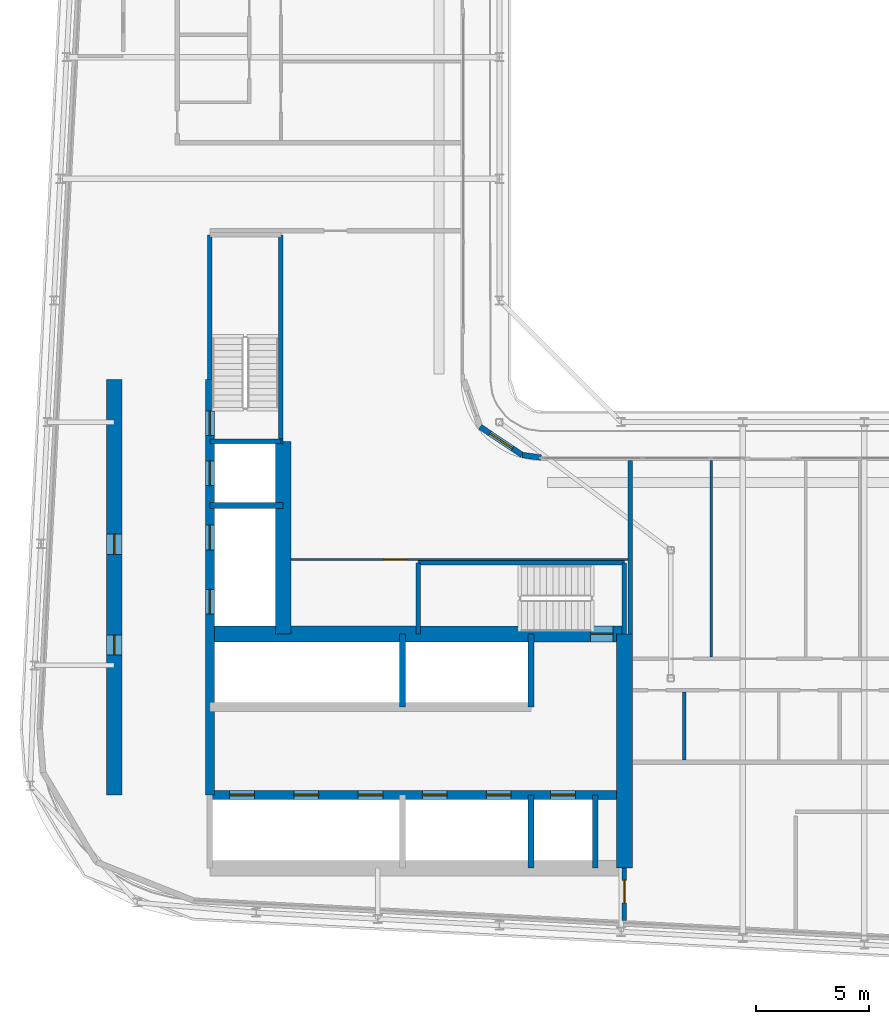
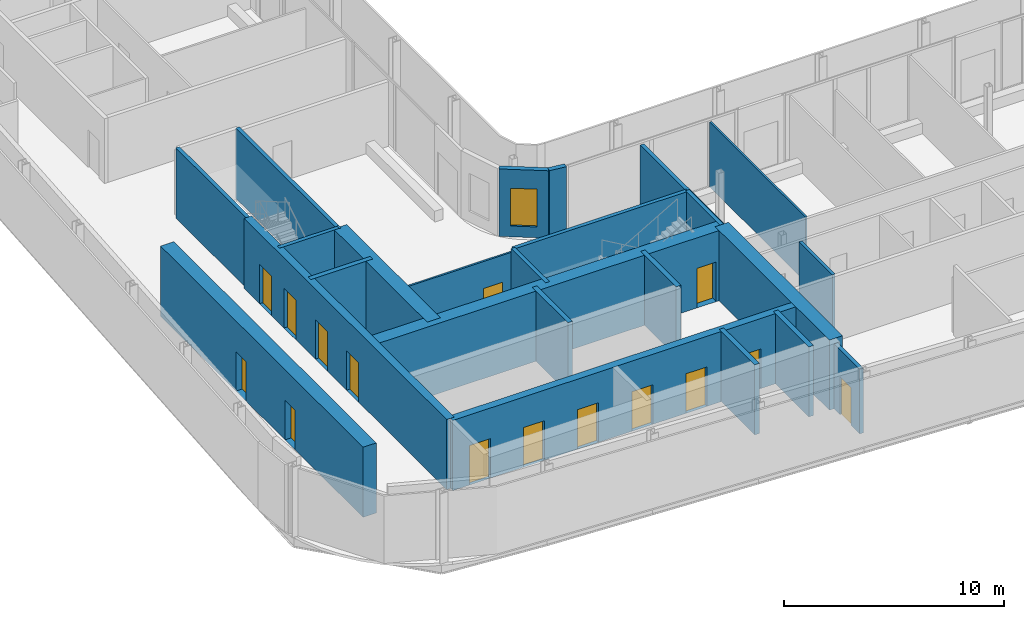
# One storey, part 10 of 21: 25 walls, 15 doors, 1 window, 16 openings.
"""IFC4 building model written with IfcOpenShell, lengths in metres."""

from ifc_helpers import new_model, si_unit, direction, frame, frame_2d, origin, place, context, subcontext, project, spatial, rectangle, extrude, source, transform, mapped, material, layer, layer_set, type_object, element, fill, save


model = new_model("IFC4")

# Units and contexts
model_context = context("Model", 3, precision=1e-05, world=origin(), true_north=direction((0.0, 1.0)))
body_context = subcontext(model_context, "Body", "Model", "MODEL_VIEW")
ifc_project = project(units=[si_unit("LENGTHUNIT", "METRE"), si_unit("AREAUNIT", "SQUARE_METRE"), si_unit("VOLUMEUNIT", "CUBIC_METRE"), si_unit("PLANEANGLEUNIT", "RADIAN"), si_unit("MASSUNIT", "GRAM", prefix="KILO")], contexts=[model_context])

# Site, building, storey
site_placement = place(None, origin())
site = spatial("IfcSite", under=ifc_project, at=site_placement, CompositionType="ELEMENT")
building_placement = place(site_placement, origin())
building = spatial("IfcBuilding", under=site, at=building_placement, Name="Kheshtan School and Residences Tower", CompositionType="ELEMENT")
storey_placement = place(building_placement, frame((0.0, 0.0, 224.0)))
storey = spatial("IfcBuildingStorey", under=building, at=storey_placement, Name="L52", CompositionType="ELEMENT", Elevation=224.0)

# Wall, openings, doors
ifc_material_1 = material(Name="Concrete C50/60", Category="concrete")
ifc_layer_1 = layer(ifc_material_1, 0.39990234375)
ifc_layer_set_1 = layer_set([ifc_layer_1], Name="Core wall 400 Concrete C50/60")
wall_type_1 = type_object("IfcWallType", Name="Core wall 400 Concrete C50/60", PredefinedType="SHEAR", material=ifc_layer_set_1)
wall_1_placement = place(storey_placement, frame((34.75, 29.050048828125, 0.0), z_axis=(0.0, 0.0, 1.0), x_axis=(1.0, 0.0, 0.0)))
wall_1 = element("IfcWall", 1, at=wall_1_placement, inside=storey, type_object=wall_type_1, Name="Core wall CW-HALL-S1", PredefinedType="SHEAR", context=body_context, shape_type="SweptSolid", body=[
    extrude(rectangle(XDim=18.39990234375, YDim=0.39990234375, at=frame_2d((9.199951171875, 0.0))), origin(), (0.0, 0.0, 1.0), 3.89990234375),
])
opening_1_placement = place(wall_1_placement, frame((0.875, 0.0, 0.0)))
opening_1 = element("IfcOpeningElement", 2, at=opening_1_placement, cuts=wall_1, Name="Opening LD", PredefinedType="OPENING", context=body_context, shape_type="SweptSolid", body=[
    extrude(rectangle(XDim=1.10009765625, YDim=2.199951171875, at=frame_2d((0.550048828125, 1.10009765625))), frame((0.0, 0.2099609375, 0.0), z_axis=(0.0, -1.0, 0.0), x_axis=(1.0, 0.0, 0.0)), (0.0, 0.0, 1.0), 0.419921875),
])
opening_2_placement = place(wall_1_placement, frame((3.72509765625, 0.0, 0.0)))
opening_2 = element("IfcOpeningElement", 3, at=opening_2_placement, cuts=wall_1, Name="Opening LD", PredefinedType="OPENING", context=body_context, shape_type="SweptSolid", body=[
    extrude(rectangle(XDim=1.10009765625, YDim=2.199951171875, at=frame_2d((0.550048828125, 1.10009765625))), frame((0.0, 0.2099609375, 0.0), z_axis=(0.0, -1.0, 0.0), x_axis=(1.0, 0.0, 0.0)), (0.0, 0.0, 1.0), 0.419921875),
])
opening_3_placement = place(wall_1_placement, frame((6.574951171875, 0.0, 0.0)))
opening_3 = element("IfcOpeningElement", 4, at=opening_3_placement, cuts=wall_1, Name="Opening LD", PredefinedType="OPENING", context=body_context, shape_type="SweptSolid", body=[
    extrude(rectangle(XDim=1.10009765625, YDim=2.199951171875, at=frame_2d((0.550048828125, 1.10009765625))), frame((0.0, 0.2099609375, 0.0), z_axis=(0.0, -1.0, 0.0), x_axis=(1.0, 0.0, 0.0)), (0.0, 0.0, 1.0), 0.419921875),
])
opening_4_placement = place(wall_1_placement, frame((9.425048828125, 0.0, 0.0)))
opening_4 = element("IfcOpeningElement", 5, at=opening_4_placement, cuts=wall_1, Name="Opening LD", PredefinedType="OPENING", context=body_context, shape_type="SweptSolid", body=[
    extrude(rectangle(XDim=1.10009765625, YDim=2.199951171875, at=frame_2d((0.550048828125, 1.10009765625))), frame((0.0, 0.2099609375, 0.0), z_axis=(0.0, -1.0, 0.0), x_axis=(1.0, 0.0, 0.0)), (0.0, 0.0, 1.0), 0.419921875),
])
opening_5_placement = place(wall_1_placement, frame((12.27490234375, 0.0, 0.0)))
opening_5 = element("IfcOpeningElement", 6, at=opening_5_placement, cuts=wall_1, Name="Opening LD", PredefinedType="OPENING", context=body_context, shape_type="SweptSolid", body=[
    extrude(rectangle(XDim=1.10009765625, YDim=2.199951171875, at=frame_2d((0.550048828125, 1.10009765625))), frame((0.0, 0.2099609375, 0.0), z_axis=(0.0, -1.0, 0.0), x_axis=(1.0, 0.0, 0.0)), (0.0, 0.0, 1.0), 0.419921875),
])
opening_6_placement = place(wall_1_placement, frame((15.125, 0.0, 0.0)))
opening_6 = element("IfcOpeningElement", 7, at=opening_6_placement, cuts=wall_1, Name="Opening LD", PredefinedType="OPENING", context=body_context, shape_type="SweptSolid", body=[
    extrude(rectangle(XDim=1.10009765625, YDim=2.199951171875, at=frame_2d((0.550048828125, 1.10009765625))), frame((0.0, 0.2099609375, 0.0), z_axis=(0.0, -1.0, 0.0), x_axis=(1.0, 0.0, 0.0)), (0.0, 0.0, 1.0), 0.419921875),
])
ifc_material_2 = material(Name="Stainless steel door leaves", Category="steel")
door_type_1 = type_object("IfcDoorType", Name="Lift landing door 1100", OperationType="SLIDING_TO_LEFT", PredefinedType="DOOR", material=ifc_material_2)
shared_shape_1 = source(origin(), body_context, "Body", "SweptSolid", [
    extrude(rectangle(XDim=1.10009765625, YDim=2.199951171875, at=frame_2d((0.550048828125, 1.10009765625))), frame((0.0, 0.02490234375, 0.0), z_axis=(0.0, -1.0, 0.0), x_axis=(1.0, 0.0, 0.0)), (0.0, 0.0, 1.0), 0.050048828125),
])
door_1_placement = place(opening_1_placement, origin())
door_1 = element("IfcDoor", 8, at=door_1_placement, inside=storey, type_object=door_type_1, Name="Lift P7 landing door", OperationType="SLIDING_TO_LEFT", OverallHeight=2.199951171875, OverallWidth=1.10009765625, PredefinedType="DOOR", context=body_context, shape_type="MappedRepresentation", body=[
    mapped(shared_shape_1, transform((0.0, 0.0, 0.0), x_axis=(1.0, 0.0, 0.0), y_axis=(0.0, 1.0, 0.0), z_axis=(0.0, 0.0, 1.0), scale=1.0)),
])
fill(opening_1, door_1)
door_2_placement = place(opening_2_placement, origin())
door_2 = element("IfcDoor", 9, at=door_2_placement, inside=storey, type_object=door_type_1, Name="Lift P8 landing door", OperationType="SLIDING_TO_LEFT", OverallHeight=2.199951171875, OverallWidth=1.10009765625, PredefinedType="DOOR", context=body_context, shape_type="MappedRepresentation", body=[
    mapped(shared_shape_1, transform((0.0, 0.0, 0.0), x_axis=(1.0, 0.0, 0.0), y_axis=(0.0, 1.0, 0.0), z_axis=(0.0, 0.0, 1.0), scale=1.0)),
])
fill(opening_2, door_2)
door_3_placement = place(opening_3_placement, origin())
door_3 = element("IfcDoor", 10, at=door_3_placement, inside=storey, type_object=door_type_1, Name="Lift P9 landing door", OperationType="SLIDING_TO_LEFT", OverallHeight=2.199951171875, OverallWidth=1.10009765625, PredefinedType="DOOR", context=body_context, shape_type="MappedRepresentation", body=[
    mapped(shared_shape_1, transform((0.0, 0.0, 0.0), x_axis=(1.0, 0.0, 0.0), y_axis=(0.0, 1.0, 0.0), z_axis=(0.0, 0.0, 1.0), scale=1.0)),
])
fill(opening_3, door_3)
door_4_placement = place(opening_4_placement, origin())
door_4 = element("IfcDoor", 11, at=door_4_placement, inside=storey, type_object=door_type_1, Name="Lift P10 landing door", OperationType="SLIDING_TO_LEFT", OverallHeight=2.199951171875, OverallWidth=1.10009765625, PredefinedType="DOOR", context=body_context, shape_type="MappedRepresentation", body=[
    mapped(shared_shape_1, transform((0.0, 0.0, 0.0), x_axis=(1.0, 0.0, 0.0), y_axis=(0.0, 1.0, 0.0), z_axis=(0.0, 0.0, 1.0), scale=1.0)),
])
fill(opening_4, door_4)
door_5_placement = place(opening_5_placement, origin())
door_5 = element("IfcDoor", 12, at=door_5_placement, inside=storey, type_object=door_type_1, Name="Lift P11 landing door", OperationType="SLIDING_TO_LEFT", OverallHeight=2.199951171875, OverallWidth=1.10009765625, PredefinedType="DOOR", context=body_context, shape_type="MappedRepresentation", body=[
    mapped(shared_shape_1, transform((0.0, 0.0, 0.0), x_axis=(1.0, 0.0, 0.0), y_axis=(0.0, 1.0, 0.0), z_axis=(0.0, 0.0, 1.0), scale=1.0)),
])
fill(opening_5, door_5)
door_6_placement = place(opening_6_placement, origin())
door_6 = element("IfcDoor", 13, at=door_6_placement, inside=storey, type_object=door_type_1, Name="Lift FFL2 landing door", OperationType="SLIDING_TO_LEFT", OverallHeight=2.199951171875, OverallWidth=1.10009765625, PredefinedType="DOOR", context=body_context, shape_type="MappedRepresentation", body=[
    mapped(shared_shape_1, transform((0.0, 0.0, 0.0), x_axis=(1.0, 0.0, 0.0), y_axis=(0.0, 1.0, 0.0), z_axis=(0.0, 0.0, 1.0), scale=1.0)),
])
fill(opening_6, door_6)

wall_2_placement = place(storey_placement, frame((34.75, 29.050048828125, 0.0), z_axis=(0.0, 0.0, 1.0), x_axis=(0.0, 1.0, 0.0)))
wall_2 = element("IfcWall", 14, at=wall_2_placement, inside=storey, type_object=wall_type_1, Name="Core wall CW-HALL-W1", PredefinedType="SHEAR", context=body_context, shape_type="SweptSolid", body=[
    extrude(rectangle(XDim=18.449951171875, YDim=0.39990234375, at=frame_2d((9.22509765625, 0.0))), origin(), (0.0, 0.0, 1.0), 3.89990234375),
])
opening_7_placement = place(wall_2_placement, frame((8.02490234375, 0.0, 0.0)))
opening_7 = element("IfcOpeningElement", 15, at=opening_7_placement, cuts=wall_2, Name="Opening LD", PredefinedType="OPENING", context=body_context, shape_type="SweptSolid", body=[
    extrude(rectangle(XDim=1.10009765625, YDim=2.199951171875, at=frame_2d((0.550048828125, 1.10009765625))), frame((0.0, 0.2099609375, 0.0), z_axis=(0.0, -1.0, 0.0), x_axis=(1.0, 0.0, 0.0)), (0.0, 0.0, 1.0), 0.419921875),
])
opening_8_placement = place(wall_2_placement, frame((10.875, 0.0, 0.0)))
opening_8 = element("IfcOpeningElement", 16, at=opening_8_placement, cuts=wall_2, Name="Opening LD", PredefinedType="OPENING", context=body_context, shape_type="SweptSolid", body=[
    extrude(rectangle(XDim=1.10009765625, YDim=2.199951171875, at=frame_2d((0.550048828125, 1.10009765625))), frame((0.0, 0.2099609375, 0.0), z_axis=(0.0, -1.0, 0.0), x_axis=(1.0, 0.0, 0.0)), (0.0, 0.0, 1.0), 0.419921875),
])
opening_9_placement = place(wall_2_placement, frame((13.72509765625, 0.0, 0.0)))
opening_9 = element("IfcOpeningElement", 17, at=opening_9_placement, cuts=wall_2, Name="Opening LD", PredefinedType="OPENING", context=body_context, shape_type="SweptSolid", body=[
    extrude(rectangle(XDim=1.10009765625, YDim=2.199951171875, at=frame_2d((0.550048828125, 1.10009765625))), frame((0.0, 0.2099609375, 0.0), z_axis=(0.0, -1.0, 0.0), x_axis=(1.0, 0.0, 0.0)), (0.0, 0.0, 1.0), 0.419921875),
])
opening_10_placement = place(wall_2_placement, frame((15.949951171875, 0.0, 0.0)))
opening_10 = element("IfcOpeningElement", 18, at=opening_10_placement, cuts=wall_2, Name="Opening ST2D", PredefinedType="OPENING", context=body_context, shape_type="SweptSolid", body=[
    extrude(rectangle(XDim=1.10009765625, YDim=2.199951171875, at=frame_2d((0.550048828125, 1.10009765625))), frame((0.0, 0.2099609375, 0.0), z_axis=(0.0, -1.0, 0.0), x_axis=(1.0, 0.0, 0.0)), (0.0, 0.0, 1.0), 0.419921875),
])
door_7_placement = place(opening_7_placement, origin())
door_7 = element("IfcDoor", 19, at=door_7_placement, inside=storey, type_object=door_type_1, Name="Lift SV1 landing door", OperationType="SLIDING_TO_LEFT", OverallHeight=2.199951171875, OverallWidth=1.10009765625, PredefinedType="DOOR", context=body_context, shape_type="MappedRepresentation", body=[
    mapped(shared_shape_1, transform((0.0, 0.0, 0.0), x_axis=(1.0, 0.0, 0.0), y_axis=(0.0, 1.0, 0.0), z_axis=(0.0, 0.0, 1.0), scale=1.0)),
])
fill(opening_7, door_7)
door_8_placement = place(opening_8_placement, origin())
door_8 = element("IfcDoor", 20, at=door_8_placement, inside=storey, type_object=door_type_1, Name="Lift SV2 landing door", OperationType="SLIDING_TO_LEFT", OverallHeight=2.199951171875, OverallWidth=1.10009765625, PredefinedType="DOOR", context=body_context, shape_type="MappedRepresentation", body=[
    mapped(shared_shape_1, transform((0.0, 0.0, 0.0), x_axis=(1.0, 0.0, 0.0), y_axis=(0.0, 1.0, 0.0), z_axis=(0.0, 0.0, 1.0), scale=1.0)),
])
fill(opening_8, door_8)
door_9_placement = place(opening_9_placement, origin())
door_9 = element("IfcDoor", 21, at=door_9_placement, inside=storey, type_object=door_type_1, Name="Lift FFL1 landing door", OperationType="SLIDING_TO_LEFT", OverallHeight=2.199951171875, OverallWidth=1.10009765625, PredefinedType="DOOR", context=body_context, shape_type="MappedRepresentation", body=[
    mapped(shared_shape_1, transform((0.0, 0.0, 0.0), x_axis=(1.0, 0.0, 0.0), y_axis=(0.0, 1.0, 0.0), z_axis=(0.0, 0.0, 1.0), scale=1.0)),
])
fill(opening_9, door_9)
ifc_material_3 = material(Name="Steel door leaf, galvanised", Category="steel")
door_type_2 = type_object("IfcDoorType", Name="Stair door 1100 steel 90 min", OperationType="SINGLE_SWING_LEFT", PredefinedType="DOOR", material=ifc_material_3)
shared_shape_2 = source(origin(), body_context, "Body", "SweptSolid", [
    extrude(rectangle(XDim=1.10009765625, YDim=2.199951171875, at=frame_2d((0.550048828125, 1.10009765625))), frame((0.0, 0.02490234375, 0.0), z_axis=(0.0, -1.0, 0.0), x_axis=(1.0, 0.0, 0.0)), (0.0, 0.0, 1.0), 0.050048828125),
])
door_10_placement = place(opening_10_placement, origin())
door_10 = element("IfcDoor", 22, at=door_10_placement, inside=storey, type_object=door_type_2, Name="Stair ST2 door", OperationType="SINGLE_SWING_RIGHT", OverallHeight=2.199951171875, OverallWidth=1.10009765625, PredefinedType="DOOR", context=body_context, shape_type="MappedRepresentation", body=[
    mapped(shared_shape_2, transform((0.0, 0.0, 0.0), x_axis=(1.0, 0.0, 0.0), y_axis=(0.0, 1.0, 0.0), z_axis=(0.0, 0.0, 1.0), scale=1.0)),
])
fill(opening_10, door_10)

# Wall, opening, door
ifc_material_4 = material(Name="Concrete C70/85", Category="concrete")
ifc_layer_2 = layer(ifc_material_4, 0.699951171875)
ifc_layer_set_2 = layer_set([ifc_layer_2], Name="Core wall 700 Concrete C70/85")
wall_type_2 = type_object("IfcWallType", Name="Core wall 700 Concrete C70/85", PredefinedType="SHEAR", material=ifc_layer_set_2)
wall_3_placement = place(storey_placement, frame((34.75, 36.199951171875, 0.0), z_axis=(0.0, 0.0, 1.0), x_axis=(1.0, 0.0, 0.0)))
wall_3 = element("IfcWall", 23, at=wall_3_placement, inside=storey, type_object=wall_type_2, Name="Core wall CW-FRONT-S", PredefinedType="SHEAR", context=body_context, shape_type="SweptSolid", body=[
    extrude(rectangle(XDim=18.39990234375, YDim=0.699951171875, at=frame_2d((9.199951171875, 0.0))), origin(), (0.0, 0.0, 1.0), 3.89990234375),
])
opening_11_placement = place(wall_3_placement, frame((16.89990234375, 0.0, 0.0)))
opening_11 = element("IfcOpeningElement", 24, at=opening_11_placement, cuts=wall_3, Name="Opening ST1D", PredefinedType="OPENING", context=body_context, shape_type="SweptSolid", body=[
    extrude(rectangle(XDim=1.0, YDim=2.199951171875, at=frame_2d((0.5, 1.10009765625))), frame((0.0, 0.35986328125, 0.0), z_axis=(0.0, -1.0, 0.0), x_axis=(1.0, 0.0, 0.0)), (0.0, 0.0, 1.0), 0.719970703125),
])
shared_shape_3 = source(origin(), body_context, "Body", "SweptSolid", [
    extrude(rectangle(XDim=1.0, YDim=2.199951171875, at=frame_2d((0.5, 1.10009765625))), frame((0.0, 0.02490234375, 0.0), z_axis=(0.0, -1.0, 0.0), x_axis=(1.0, 0.0, 0.0)), (0.0, 0.0, 1.0), 0.050048828125),
])
door_11_placement = place(opening_11_placement, origin())
door_11 = element("IfcDoor", 25, at=door_11_placement, inside=storey, type_object=door_type_2, Name="Stair ST1 door", OperationType="SINGLE_SWING_RIGHT", OverallHeight=2.199951171875, OverallWidth=1.0, PredefinedType="DOOR", context=body_context, shape_type="MappedRepresentation", body=[
    mapped(shared_shape_3, transform((0.0, 0.0, 0.0), x_axis=(1.0, 0.0, 0.0), y_axis=(0.0, 1.0, 0.0), z_axis=(0.0, 0.0, 1.0), scale=1.0)),
])
fill(opening_11, door_11)

# Wall
wall_4_placement = place(storey_placement, frame((38.0, 36.199951171875, 0.0), z_axis=(0.0, 0.0, 1.0), x_axis=(0.0, 1.0, 0.0)))
element("IfcWall", 26, at=wall_4_placement, inside=storey, type_object=wall_type_2, Name="Core wall CW-FRONT-W", PredefinedType="SHEAR", context=body_context, shape_type="SweptSolid", body=[
    extrude(rectangle(XDim=8.550048828125, YDim=0.699951171875, at=frame_2d((4.27490234375, 0.0))), origin(), (0.0, 0.0, 1.0), 3.89990234375),
])

# Wall, openings, doors
wall_5_placement = place(storey_placement, frame((30.5, 29.050048828125, 0.0), z_axis=(0.0, 0.0, 1.0), x_axis=(0.0, 1.0, 0.0)))
wall_5 = element("IfcWall", 27, at=wall_5_placement, inside=storey, type_object=wall_type_2, Name="Core wall CW-REAR-W", PredefinedType="SHEAR", context=body_context, shape_type="SweptSolid", body=[
    extrude(rectangle(XDim=18.449951171875, YDim=0.699951171875, at=frame_2d((9.22509765625, 0.0))), origin(), (0.0, 0.0, 1.0), 3.89990234375),
])
opening_12_placement = place(wall_5_placement, frame((6.2099609375, 0.0, 0.0)))
opening_12 = element("IfcOpeningElement", 28, at=opening_12_placement, cuts=wall_5, Name="Opening SR90", PredefinedType="OPENING", context=body_context, shape_type="SweptSolid", body=[
    extrude(rectangle(XDim=0.89990234375, YDim=2.199951171875, at=frame_2d((0.449951171875, 1.10009765625))), frame((0.0, 0.35986328125, 0.0), z_axis=(0.0, -1.0, 0.0), x_axis=(1.0, 0.0, 0.0)), (0.0, 0.0, 1.0), 0.719970703125),
])
opening_13_placement = place(wall_5_placement, frame((10.68408203125, 0.0, 0.0)))
opening_13 = element("IfcOpeningElement", 29, at=opening_13_placement, cuts=wall_5, Name="Opening SR90", PredefinedType="OPENING", context=body_context, shape_type="SweptSolid", body=[
    extrude(rectangle(XDim=0.89990234375, YDim=2.199951171875, at=frame_2d((0.449951171875, 1.10009765625))), frame((0.0, 0.35986328125, 0.0), z_axis=(0.0, -1.0, 0.0), x_axis=(1.0, 0.0, 0.0)), (0.0, 0.0, 1.0), 0.719970703125),
])
door_type_3 = type_object("IfcDoorType", Name="Service room door 900 steel 90 min", OperationType="SINGLE_SWING_LEFT", PredefinedType="DOOR", material=ifc_material_3)
shared_shape_4 = source(origin(), body_context, "Body", "SweptSolid", [
    extrude(rectangle(XDim=0.89990234375, YDim=2.199951171875, at=frame_2d((0.449951171875, 1.10009765625))), frame((0.0, 0.02490234375, 0.0), z_axis=(0.0, -1.0, 0.0), x_axis=(1.0, 0.0, 0.0)), (0.0, 0.0, 1.0), 0.050048828125),
])
door_12_placement = place(opening_12_placement, origin())
door_12 = element("IfcDoor", 30, at=door_12_placement, inside=storey, type_object=door_type_3, Name="Service room door", OperationType="SINGLE_SWING_RIGHT", OverallHeight=2.199951171875, OverallWidth=0.89990234375, PredefinedType="DOOR", context=body_context, shape_type="MappedRepresentation", body=[
    mapped(shared_shape_4, transform((0.0, 0.0, 0.0), x_axis=(1.0, 0.0, 0.0), y_axis=(0.0, 1.0, 0.0), z_axis=(0.0, 0.0, 1.0), scale=1.0)),
])
fill(opening_12, door_12)
door_13_placement = place(opening_13_placement, origin())
door_13 = element("IfcDoor", 31, at=door_13_placement, inside=storey, type_object=door_type_3, Name="Service room door", OperationType="SINGLE_SWING_LEFT", OverallHeight=2.199951171875, OverallWidth=0.89990234375, PredefinedType="DOOR", context=body_context, shape_type="MappedRepresentation", body=[
    mapped(shared_shape_4, transform((0.0, 0.0, 0.0), x_axis=(1.0, 0.0, 0.0), y_axis=(0.0, 1.0, 0.0), z_axis=(0.0, 0.0, 1.0), scale=1.0)),
])
fill(opening_13, door_13)

# Wall
wall_6_placement = place(storey_placement, frame((53.14990234375, 25.800048828125, 0.0), z_axis=(0.0, 0.0, 1.0), x_axis=(0.0, 1.0, 0.0)))
element("IfcWall", 32, at=wall_6_placement, inside=storey, type_object=wall_type_2, Name="Core wall CW-EAST", PredefinedType="SHEAR", context=body_context, shape_type="SweptSolid", body=[
    extrude(rectangle(XDim=10.39990234375, YDim=0.699951171875, at=frame_2d((5.199951171875, 0.0))), origin(), (0.0, 0.0, 1.0), 3.89990234375),
])

# Wall, opening, door
ifc_material_5 = material(Name="Gypsum board on steel studs with fire boards", Category="steel")
ifc_layer_3 = layer(ifc_material_5, 0.199951171875)
ifc_layer_set_3 = layer_set([ifc_layer_3], Name="Corridor wall 200")
wall_type_3 = type_object("IfcWallType", Name="Corridor wall 200", PredefinedType="PARTITIONING", material=ifc_layer_set_3)
wall_7_placement = place(storey_placement, frame((53.14990234375, 23.472412109375, 0.0), z_axis=(0.0, 0.0, 1.0), x_axis=(0.0, 1.0, 0.0)))
wall_7 = element("IfcWall", 33, at=wall_7_placement, inside=storey, type_object=wall_type_3, Name="Partition L52-020", PredefinedType="PARTITIONING", context=body_context, shape_type="SweptSolid", body=[
    extrude(rectangle(XDim=2.32763671875, YDim=0.199951171875, at=frame_2d((1.163818359375, 0.0))), origin(), (0.0, 0.0, 1.0), 3.60009765625),
])
opening_14_placement = place(wall_7_placement, frame((0.784912109375, 0.0, 0.0)))
opening_14 = element("IfcOpeningElement", 34, at=opening_14_placement, cuts=wall_7, Name="Opening D52-032", PredefinedType="OPENING", context=body_context, shape_type="SweptSolid", body=[
    extrude(rectangle(XDim=1.0, YDim=2.10009765625, at=frame_2d((0.5, 1.050048828125))), frame((0.0, 0.10986328125, 0.0), z_axis=(0.0, -1.0, 0.0), x_axis=(1.0, 0.0, 0.0)), (0.0, 0.0, 1.0), 0.219970703125),
])
ifc_material_6 = material(Name="Steel-framed fire-resisting door leaf", Category="steel")
door_type_4 = type_object("IfcDoorType", Name="Fire door FD60 1000 x 2100", OperationType="SINGLE_SWING_LEFT", PredefinedType="DOOR", material=ifc_material_6)
shared_shape_5 = source(origin(), body_context, "Body", "SweptSolid", [
    extrude(rectangle(XDim=1.0, YDim=2.10009765625, at=frame_2d((0.5, 1.050048828125))), frame((0.0, 0.02490234375, 0.0), z_axis=(0.0, -1.0, 0.0), x_axis=(1.0, 0.0, 0.0)), (0.0, 0.0, 1.0), 0.050048828125),
])
door_14_placement = place(opening_14_placement, origin())
door_14 = element("IfcDoor", 35, at=door_14_placement, inside=storey, type_object=door_type_4, Name="Door D52-032", OperationType="SINGLE_SWING_RIGHT", OverallHeight=2.10009765625, OverallWidth=1.0, PredefinedType="DOOR", context=body_context, shape_type="MappedRepresentation", body=[
    mapped(shared_shape_5, transform((0.0, 0.0, 0.0), x_axis=(1.0, 0.0, 0.0), y_axis=(0.0, 1.0, 0.0), z_axis=(0.0, 0.0, 1.0), scale=1.0)),
])
fill(opening_14, door_14)

# Wall, opening, window
ifc_material_7 = material(Name="Concrete C40/50 with ceramic cladding and mineral wool insulation", Category="concrete")
ifc_layer_4 = layer(ifc_material_7, 0.25)
ifc_layer_set_4 = layer_set([ifc_layer_4], Name="External wall 250 ceramic clad")
wall_type_4 = type_object("IfcWallType", Name="External wall 250 ceramic clad", PredefinedType="SOLIDWALL", material=ifc_layer_set_4)
wall_8_placement = place(storey_placement, frame((46.742919921875, 45.388916015625, 0.0), z_axis=(0.0, 0.0, 1.0), x_axis=(0.831449265529, -0.555600682912, 0.0)))
wall_8 = element("IfcWall", 36, at=wall_8_placement, inside=storey, type_object=wall_type_4, Name="External wall L52 6", PredefinedType="SOLIDWALL", context=body_context, shape_type="SweptSolid", body=[
    extrude(rectangle(XDim=2.25146484375, YDim=0.25, at=frame_2d((1.125732421875, 0.0))), origin(), (0.0, 0.0, 1.0), 3.75),
])
opening_15_placement = place(wall_8_placement, frame((0.52490234375, 0.0, 0.60009765625)))
opening_15 = element("IfcOpeningElement", 37, at=opening_15_placement, cuts=wall_8, Name="Opening WN-E", PredefinedType="OPENING", context=body_context, shape_type="SweptSolid", body=[
    extrude(rectangle(XDim=1.199951171875, YDim=2.10009765625, at=frame_2d((0.60009765625, 1.050048828125))), frame((0.0, 0.135009765625, 0.0), z_axis=(0.0, -1.0, 0.0), x_axis=(1.0, 0.0, 0.0)), (0.0, 0.0, 1.0), 0.27001953125),
])
ifc_material_8 = material(Name="Clear low-e glass in thermally broken aluminium frame", Category="aluminium")
window_type = type_object("IfcWindowType", Name="Window WN-E", PartitioningType="SINGLE_PANEL", PredefinedType="WINDOW", material=ifc_material_8)
shared_shape_6 = source(origin(), body_context, "Body", "SweptSolid", [
    extrude(rectangle(XDim=1.199951171875, YDim=2.10009765625, at=frame_2d((0.60009765625, 1.050048828125))), frame((0.0, 0.030029296875, 0.0), z_axis=(0.0, -1.0, 0.0), x_axis=(1.0, 0.0, 0.0)), (0.0, 0.0, 1.0), 0.06005859375),
])
window_placement = place(opening_15_placement, origin())
window = element("IfcWindow", 38, at=window_placement, inside=storey, type_object=window_type, Name="Window L52 6", OverallHeight=2.10009765625, OverallWidth=1.199951171875, PartitioningType="SINGLE_PANEL", PredefinedType="WINDOW", context=body_context, shape_type="MappedRepresentation", body=[
    mapped(shared_shape_6, transform((0.0, 0.0, 0.0), x_axis=(1.0, 0.0, 0.0), y_axis=(0.0, 1.0, 0.0), z_axis=(0.0, 0.0, 1.0), scale=1.0)),
])
fill(opening_15, window)

# Wall
wall_9_placement = place(storey_placement, frame((48.614990234375, 44.137939453125, 0.0), z_axis=(0.0, 0.0, 1.0), x_axis=(0.990741504246, -0.135761819977, 0.0)))
element("IfcWall", 39, at=wall_9_placement, inside=storey, type_object=wall_type_4, Name="External wall L52 7", PredefinedType="SOLIDWALL", context=body_context, shape_type="SweptSolid", body=[
    extrude(rectangle(XDim=0.83984375, YDim=0.25, at=frame_2d((0.419921875, 0.0))), origin(), (0.0, 0.0, 1.0), 3.75),
])

# Wall, opening, door
ifc_material_9 = material(Name="Gypsum board on steel studs", Category="steel")
ifc_layer_5 = layer(ifc_material_9, 0.10009765625)
ifc_layer_set_5 = layer_set([ifc_layer_5], Name="Gypsum partition 100")
wall_type_5 = type_object("IfcWallType", Name="Gypsum partition 100", PredefinedType="PARTITIONING", material=ifc_layer_set_5)
wall_10_placement = place(storey_placement, frame((38.34912109375, 39.5, 0.0), z_axis=(0.0, 0.0, 1.0), x_axis=(1.0, 0.0, 0.0)))
wall_10 = element("IfcWall", 40, at=wall_10_placement, inside=storey, type_object=wall_type_5, Name="Partition L52-019", PredefinedType="PARTITIONING", context=body_context, shape_type="SweptSolid", body=[
    extrude(rectangle(XDim=14.950927734375, YDim=0.10009765625, at=frame_2d((7.4755859375, 0.0))), origin(), (0.0, 0.0, 1.0), 3.60009765625),
])
opening_16_placement = place(wall_10_placement, frame((4.14697265625, 0.0, 0.0)))
opening_16 = element("IfcOpeningElement", 41, at=opening_16_placement, cuts=wall_10, Name="Opening D52-033", PredefinedType="OPENING", context=body_context, shape_type="SweptSolid", body=[
    extrude(rectangle(XDim=1.0, YDim=2.10009765625, at=frame_2d((0.5, 1.050048828125))), frame((0.0, 0.06005859375, 0.0), z_axis=(0.0, -1.0, 0.0), x_axis=(1.0, 0.0, 0.0)), (0.0, 0.0, 1.0), 0.1201171875),
])
ifc_material_10 = material(Name="Veneered timber door leaf", Category="wood")
door_type_5 = type_object("IfcDoorType", Name="Door 1000 x 2100", OperationType="SINGLE_SWING_LEFT", PredefinedType="DOOR", material=ifc_material_10)
shared_shape_7 = source(origin(), body_context, "Body", "SweptSolid", [
    extrude(rectangle(XDim=1.0, YDim=2.10009765625, at=frame_2d((0.5, 1.050048828125))), frame((0.0, 0.02490234375, 0.0), z_axis=(0.0, -1.0, 0.0), x_axis=(1.0, 0.0, 0.0)), (0.0, 0.0, 1.0), 0.050048828125),
])
door_15_placement = place(opening_16_placement, origin())
door_15 = element("IfcDoor", 42, at=door_15_placement, inside=storey, type_object=door_type_5, Name="Door D52-033", OperationType="SINGLE_SWING_LEFT", OverallHeight=2.10009765625, OverallWidth=1.0, PredefinedType="DOOR", context=body_context, shape_type="MappedRepresentation", body=[
    mapped(shared_shape_7, transform((0.0, 0.0, 0.0), x_axis=(1.0, 0.0, 0.0), y_axis=(0.0, 1.0, 0.0), z_axis=(0.0, 0.0, 1.0), scale=1.0)),
])
fill(opening_16, door_15)

# Walls
wall_11_placement = place(storey_placement, frame((57.0, 35.175048828125, 0.0), z_axis=(0.0, 0.0, 1.0), x_axis=(0.0, 1.0, 0.0)))
element("IfcWall", 43, at=wall_11_placement, inside=storey, type_object=wall_type_5, Name="Partition L52-026", PredefinedType="PARTITIONING", context=body_context, shape_type="SweptSolid", body=[
    extrude(rectangle(XDim=8.724853515625, YDim=0.10009765625, at=frame_2d((4.3623046875, 0.0))), origin(), (0.0, 0.0, 1.0), 3.60009765625),
])
ifc_material_11 = material(Name="Fire-board shaft wall system")
ifc_layer_6 = layer(ifc_material_11, 0.25)
ifc_layer_set_6 = layer_set([ifc_layer_6], Name="Shaft lining wall 250")
wall_type_6 = type_object("IfcWallType", Name="Shaft lining wall 250", PredefinedType="PARTITIONING", material=ifc_layer_set_6)
for number, where, z_axis, x_axis, name in (
    (44, (43.300048828125, 32.949951171875, 0.0), (0.0, 0.0, 1.0), (0.0, 1.0, 0.0), "Shaft lining wall"),
    (45, (49.0, 25.800048828125, 0.0), (0.0, 0.0, 1.0), (0.0, 1.0, 0.0), "Shaft lining wall"),
    (46, (49.0, 32.949951171875, 0.0), (0.0, 0.0, 1.0), (0.0, 1.0, 0.0), "Shaft lining wall"),
    (47, (51.85009765625, 25.800048828125, 0.0), (0.0, 0.0, 1.0), (0.0, 1.0, 0.0), "Shaft lining wall"),
    (48, (34.75, 41.89990234375, 0.0), (0.0, 0.0, 1.0), (1.0, 0.0, 0.0), "Shaft lining wall"),
):
    element("IfcWall", number, at=place(storey_placement, frame(where, z_axis=z_axis, x_axis=x_axis)), inside=storey, type_object=wall_type_6, Name=name, PredefinedType="PARTITIONING", context=body_context, shape_type="SweptSolid", body=[
        extrude(rectangle(XDim=3.25, YDim=0.25, at=frame_2d((1.625, 0.0))), origin(), (0.0, 0.0, 1.0), 3.89990234375),
    ])
wall_12_placement = place(storey_placement, frame((37.89990234375, 44.75, 0.0), z_axis=(0.0, 0.0, 1.0), x_axis=(1.0, 0.0, 0.0)))
element("IfcWall", 49, at=wall_12_placement, inside=storey, type_object=wall_type_6, Name="Shaft lining wall", PredefinedType="PARTITIONING", context=body_context, shape_type="SweptSolid", body=[
    extrude(rectangle(XDim=0.10009765625, YDim=0.25, at=frame_2d((0.050048828125, 0.0))), origin(), (0.0, 0.0, 1.0), 3.89990234375),
])
ifc_material_12 = material(Name="Concrete C40/50", Category="concrete")
ifc_layer_7 = layer(ifc_material_12, 0.199951171875)
ifc_layer_set_7 = layer_set([ifc_layer_7], Name="Stair enclosure wall 200 Concrete C40/50")
wall_type_7 = type_object("IfcWallType", Name="Stair enclosure wall 200 Concrete C40/50", PredefinedType="SHEAR", material=ifc_layer_set_7)
wall_13_placement = place(storey_placement, frame((43.989990234375, 39.35009765625, 0.0), z_axis=(0.0, 0.0, 1.0), x_axis=(1.0, 0.0, 0.0)))
element("IfcWall", 50, at=wall_13_placement, inside=storey, type_object=wall_type_7, Name="Stair enclosure wall ST1", PredefinedType="SHEAR", context=body_context, shape_type="SweptSolid", body=[
    extrude(rectangle(XDim=9.159912109375, YDim=0.199951171875, at=frame_2d((4.580078125, 0.0))), origin(), (0.0, 0.0, 1.0), 3.89990234375),
])
for number, where, z_axis, x_axis, name in (
    (51, (43.989990234375, 36.199951171875, 0.0), (0.0, 0.0, 1.0), (0.0, 1.0, 0.0), "Stair enclosure wall ST1"),
    (52, (53.14990234375, 36.199951171875, 0.0), (0.0, 0.0, 1.0), (0.0, 1.0, 0.0), "Stair enclosure wall ST1"),
):
    element("IfcWall", number, at=place(storey_placement, frame(where, z_axis=z_axis, x_axis=x_axis)), inside=storey, type_object=wall_type_7, Name=name, PredefinedType="SHEAR", context=body_context, shape_type="SweptSolid", body=[
        extrude(rectangle(XDim=3.150146484375, YDim=0.199951171875, at=frame_2d((1.5751953125, 0.0))), origin(), (0.0, 0.0, 1.0), 3.89990234375),
    ])
wall_14_placement = place(storey_placement, frame((34.75, 44.75, 0.0), z_axis=(0.0, 0.0, 1.0), x_axis=(1.0, 0.0, 0.0)))
element("IfcWall", 53, at=wall_14_placement, inside=storey, type_object=wall_type_7, Name="Stair enclosure wall ST2", PredefinedType="SHEAR", context=body_context, shape_type="SweptSolid", body=[
    extrude(rectangle(XDim=3.14990234375, YDim=0.199951171875, at=frame_2d((1.574951171875, 0.0))), origin(), (0.0, 0.0, 1.0), 3.89990234375),
])
wall_15_placement = place(storey_placement, frame((34.75, 47.5, 0.0), z_axis=(0.0, 0.0, 1.0), x_axis=(0.0, 1.0, 0.0)))
element("IfcWall", 54, at=wall_15_placement, inside=storey, type_object=wall_type_7, Name="Stair enclosure wall ST2", PredefinedType="SHEAR", context=body_context, shape_type="SweptSolid", body=[
    extrude(rectangle(XDim=6.409912109375, YDim=0.199951171875, at=frame_2d((3.205078125, 0.0))), origin(), (0.0, 0.0, 1.0), 3.89990234375),
])
wall_16_placement = place(storey_placement, frame((37.89990234375, 44.75, 0.0), z_axis=(0.0, 0.0, 1.0), x_axis=(0.0, 1.0, 0.0)))
element("IfcWall", 55, at=wall_16_placement, inside=storey, type_object=wall_type_7, Name="Stair enclosure wall ST2", PredefinedType="SHEAR", context=body_context, shape_type="SweptSolid", body=[
    extrude(rectangle(XDim=9.159912109375, YDim=0.199951171875, at=frame_2d((4.580078125, 0.0))), origin(), (0.0, 0.0, 1.0), 3.89990234375),
])
ifc_material_13 = material(Name="Twin gypsum board on steel studs with mineral wool", Category="steel")
ifc_layer_8 = layer(ifc_material_13, 0.199951171875)
ifc_layer_set_8 = layer_set([ifc_layer_8], Name="Unit demising wall 200")
wall_type_8 = type_object("IfcWallType", Name="Unit demising wall 200", PredefinedType="PARTITIONING", material=ifc_layer_set_8)
wall_17_placement = place(storey_placement, frame((53.39990234375, 36.198974609375, 0.0), z_axis=(0.0, 0.0, 1.0), x_axis=(0.0, 1.0, 0.0)))
element("IfcWall", 56, at=wall_17_placement, inside=storey, type_object=wall_type_8, Name="Partition L52-021", PredefinedType="PARTITIONING", context=body_context, shape_type="SweptSolid", body=[
    extrude(rectangle(XDim=7.700927734375, YDim=0.199951171875, at=frame_2d((3.8505859375, 0.0))), origin(), (0.0, 0.0, 1.0), 3.60009765625),
])
ifc_material_14 = material(Name="Moisture-resistant gypsum board on steel studs", Category="steel")
ifc_layer_9 = layer(ifc_material_14, 0.14990234375)
ifc_layer_set_9 = layer_set([ifc_layer_9], Name="Wet-room partition 150")
wall_type_9 = type_object("IfcWallType", Name="Wet-room partition 150", PredefinedType="PARTITIONING", material=ifc_layer_set_9)
wall_18_placement = place(storey_placement, frame((55.800048828125, 30.60009765625, 0.0), z_axis=(0.0, 0.0, 1.0), x_axis=(0.0, 1.0, 0.0)))
element("IfcWall", 57, at=wall_18_placement, inside=storey, type_object=wall_type_9, Name="Partition L52-025", PredefinedType="PARTITIONING", context=body_context, shape_type="SweptSolid", body=[
    extrude(rectangle(XDim=3.02490234375, YDim=0.14990234375, at=frame_2d((1.512451171875, 0.0))), origin(), (0.0, 0.0, 1.0), 3.60009765625),
])

save(model, "model.ifc")
